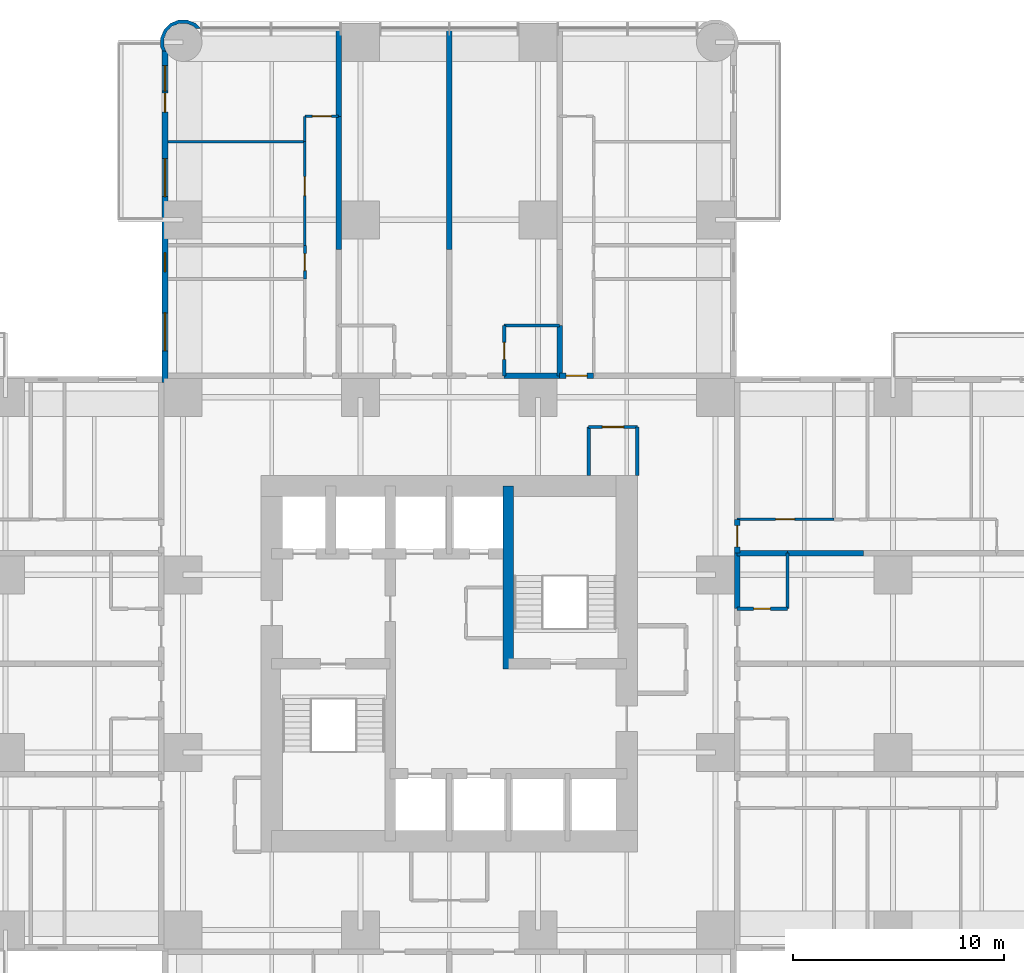
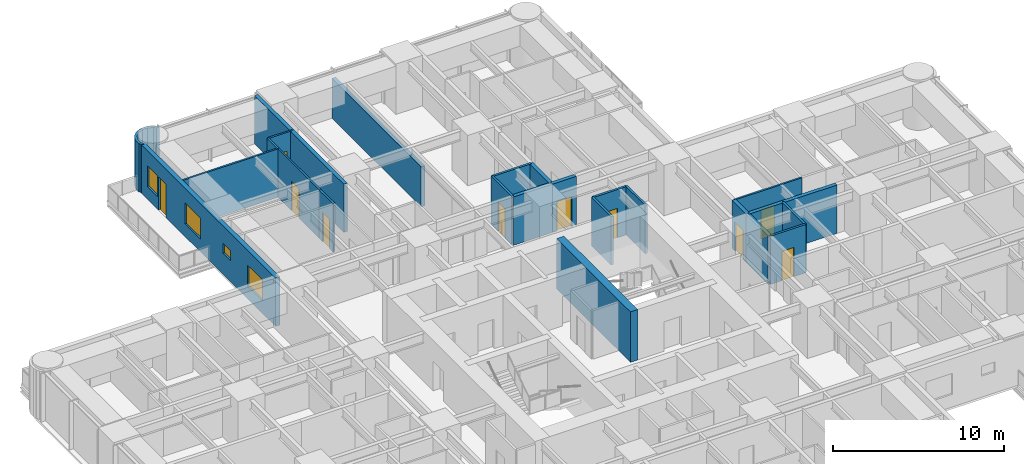
# One storey, part 13 of 17: 26 walls, 10 doors, 4 windows, 14 openings.
"""IFC4 building model written with IfcOpenShell, lengths in metres."""

from ifc_helpers import new_model, si_unit, direction, frame, frame_2d, origin, place, context, subcontext, project, spatial, polyline, rectangle, outline, extrude, material, layer, layer_set, type_object, element, fill, save


model = new_model("IFC4")

# Units and contexts
model_context = context("Model", 3, precision=1e-05, world=origin(), true_north=direction((0.0, 1.0)))
body_context = subcontext(model_context, "Body", "Model", "MODEL_VIEW")
ifc_project = project(units=[si_unit("LENGTHUNIT", "METRE"), si_unit("AREAUNIT", "SQUARE_METRE"), si_unit("VOLUMEUNIT", "CUBIC_METRE"), si_unit("PLANEANGLEUNIT", "RADIAN"), si_unit("MASSUNIT", "GRAM", prefix="KILO")], contexts=[model_context])

# Site, building, storey
site_placement = place(None, origin())
site = spatial("IfcSite", under=ifc_project, at=site_placement, CompositionType="ELEMENT")
building_placement = place(site_placement, origin())
building = spatial("IfcBuilding", under=site, at=building_placement, Name="Torre Alcanfor", CompositionType="ELEMENT")
storey_placement = place(building_placement, frame((0.0, 0.0, 88.5)))
storey = spatial("IfcBuildingStorey", under=building, at=storey_placement, Name="L22", CompositionType="ELEMENT", Elevation=88.5)

# Wall
ifc_material_1 = material(Name="Concrete block masonry, hollow blocks NMX-C-404 9 MPa", Category="masonry")
ifc_layer_1 = layer(ifc_material_1, 0.25)
ifc_layer_set_1 = layer_set([ifc_layer_1], Name="Apartment entrance wall 250 EI 60")
wall_type_1 = type_object("IfcWallType", Name="Apartment entrance wall 250 EI 60", PredefinedType="PARTITIONING", material=ifc_layer_set_1)
wall_1_placement = place(storey_placement, frame((32.0, 43.02490234375, 0.0), z_axis=(0.0, 0.0, 1.0), x_axis=(1.0, 0.0, 0.0)))
element("IfcWall", 1, at=wall_1_placement, inside=storey, type_object=wall_type_1, Name="Partition L22-CORR / L22-N2A-BATH", PredefinedType="PARTITIONING", context=body_context, shape_type="SweptSolid", body=[
    extrude(rectangle(XDim=2.62890625, YDim=0.25, at=frame_2d((1.314453125, 0.0))), origin(), (0.0, 0.0, 1.0), 3.449951171875),
])

# Wall, opening, door
wall_2_placement = place(storey_placement, frame((34.62890625, 43.02490234375, 0.0), z_axis=(0.0, 0.0, 1.0), x_axis=(1.0, 0.0, 0.0)))
wall_2 = element("IfcWall", 2, at=wall_2_placement, inside=storey, type_object=wall_type_1, Name="Partition L22-CORR / L22-N2B-HALL", PredefinedType="PARTITIONING", context=body_context, shape_type="SweptSolid", body=[
    extrude(rectangle(XDim=1.60009765625, YDim=0.25, at=frame_2d((0.800048828125, 0.0))), origin(), (0.0, 0.0, 1.0), 3.449951171875),
])
opening_1_placement = place(wall_2_placement, frame((0.300048828125, 0.0, 0.0)))
opening_1 = element("IfcOpeningElement", 3, at=opening_1_placement, cuts=wall_2, Name="Opening D-A1", PredefinedType="OPENING", context=body_context, shape_type="SweptSolid", body=[
    extrude(rectangle(XDim=1.0, YDim=2.10009765625, at=frame_2d((0.5, 1.050048828125))), frame((0.0, 0.135009765625, 0.0), z_axis=(0.0, -1.0, 0.0), x_axis=(1.0, 0.0, 0.0)), (0.0, 0.0, 1.0), 0.27001953125),
])
ifc_material_2 = material(Name="Galvanised steel sheet ASTM A653", Category="steel")
door_type_1 = type_object("IfcDoorType", Name="Apartment entrance door FD60 1000x2100", OperationType="SINGLE_SWING_LEFT", PredefinedType="DOOR", material=ifc_material_2)
door_1_placement = place(opening_1_placement, origin())
door_1 = element("IfcDoor", 4, at=door_1_placement, inside=storey, type_object=door_type_1, Name="Apartment entrance L22-N2B", OperationType="SINGLE_SWING_LEFT", OverallHeight=2.10009765625, OverallWidth=1.0, PredefinedType="DOOR", context=body_context, shape_type="SweptSolid", body=[
    extrude(rectangle(XDim=1.0, YDim=2.10009765625, at=frame_2d((0.5, 1.050048828125))), frame((0.0, 0.02490234375, 0.0), z_axis=(0.0, -1.0, 0.0), x_axis=(1.0, 0.0, 0.0)), (0.0, 0.0, 1.0), 0.050048828125),
])
fill(opening_1, door_1)

# Wall
wall_3_placement = place(storey_placement, frame((43.02490234375, 34.62890625, 0.0), z_axis=(0.0, 0.0, 1.0), x_axis=(0.0, -1.0, 0.0)))
element("IfcWall", 5, at=wall_3_placement, inside=storey, type_object=wall_type_1, Name="Partition L22-CORR / L22-E1A-BATH", PredefinedType="PARTITIONING", context=body_context, shape_type="SweptSolid", body=[
    extrude(rectangle(XDim=2.62890625, YDim=0.25, at=frame_2d((1.314453125, 0.0))), origin(), (0.0, 0.0, 1.0), 3.449951171875),
])

# Wall, opening, door
wall_4_placement = place(storey_placement, frame((43.02490234375, 36.22900390625, 0.0), z_axis=(0.0, 0.0, 1.0), x_axis=(0.0, -1.0, 0.0)))
wall_4 = element("IfcWall", 6, at=wall_4_placement, inside=storey, type_object=wall_type_1, Name="Partition L22-CORR / L22-E1B-HALL", PredefinedType="PARTITIONING", context=body_context, shape_type="SweptSolid", body=[
    extrude(rectangle(XDim=1.60009765625, YDim=0.25, at=frame_2d((0.800048828125, 0.0))), origin(), (0.0, 0.0, 1.0), 3.449951171875),
])
opening_2_placement = place(wall_4_placement, frame((0.300048828125, 0.0, 0.0)))
opening_2 = element("IfcOpeningElement", 7, at=opening_2_placement, cuts=wall_4, Name="Opening D-A1", PredefinedType="OPENING", context=body_context, shape_type="SweptSolid", body=[
    extrude(rectangle(XDim=1.0, YDim=2.10009765625, at=frame_2d((0.5, 1.050048828125))), frame((0.0, 0.135009765625, 0.0), z_axis=(0.0, -1.0, 0.0), x_axis=(1.0, 0.0, 0.0)), (0.0, 0.0, 1.0), 0.27001953125),
])
door_2_placement = place(opening_2_placement, origin())
door_2 = element("IfcDoor", 8, at=door_2_placement, inside=storey, type_object=door_type_1, Name="Apartment entrance L22-E1B", OperationType="SINGLE_SWING_LEFT", OverallHeight=2.10009765625, OverallWidth=1.0, PredefinedType="DOOR", context=body_context, shape_type="SweptSolid", body=[
    extrude(rectangle(XDim=1.0, YDim=2.10009765625, at=frame_2d((0.5, 1.050048828125))), frame((0.0, 0.02490234375, 0.0), z_axis=(0.0, -1.0, 0.0), x_axis=(1.0, 0.0, 0.0)), (0.0, 0.0, 1.0), 0.050048828125),
])
fill(opening_2, door_2)

ifc_material_3 = material(Name="Gypsum board on steel studs", Category="steel")
ifc_layer_2 = layer(ifc_material_3, 0.1201171875)
ifc_layer_set_2 = layer_set([ifc_layer_2], Name="Apartment partition 120")
wall_type_2 = type_object("IfcWallType", Name="Apartment partition 120", PredefinedType="PARTITIONING", material=ifc_layer_set_2)
wall_5_placement = place(storey_placement, frame((22.571044921875, 54.10009765625, 0.0), z_axis=(0.0, 0.0, 1.0), x_axis=(0.0, -1.0, 0.0)))
wall_5 = element("IfcWall", 9, at=wall_5_placement, inside=storey, type_object=wall_type_2, Name="Partition L22-N1B-HALL / L22-N1B-MASTER", PredefinedType="PARTITIONING", context=body_context, shape_type="SweptSolid", body=[
    extrude(rectangle(XDim=4.900146484375, YDim=0.1201171875, at=frame_2d((2.4501953125, 0.0))), origin(), (0.0, 0.0, 1.0), 3.449951171875),
])
opening_3_placement = place(wall_5_placement, frame((1.64990234375, 0.0, 0.0)))
opening_3 = element("IfcOpeningElement", 10, at=opening_3_placement, cuts=wall_5, Name="Opening D-R1", PredefinedType="OPENING", context=body_context, shape_type="SweptSolid", body=[
    extrude(rectangle(XDim=0.89990234375, YDim=2.10009765625, at=frame_2d((0.449951171875, 1.050048828125))), frame((0.0, 0.070068359375, 0.0), z_axis=(0.0, -1.0, 0.0), x_axis=(1.0, 0.0, 0.0)), (0.0, 0.0, 1.0), 0.14013671875),
])
ifc_material_4 = material(Name="Timber", Category="wood")
door_type_2 = type_object("IfcDoorType", Name="Internal door 900x2100", OperationType="SINGLE_SWING_LEFT", PredefinedType="DOOR", material=ifc_material_4)
door_3_placement = place(opening_3_placement, frame((0.89990234375, 0.0, 0.0), z_axis=(0.0, 0.0, 1.0), x_axis=(-1.0, 0.0, 0.0)))
door_3 = element("IfcDoor", 11, at=door_3_placement, inside=storey, type_object=door_type_2, Name="Door L22-N1B master", OperationType="SINGLE_SWING_RIGHT", OverallHeight=2.10009765625, OverallWidth=0.89990234375, PredefinedType="DOOR", context=body_context, shape_type="SweptSolid", body=[
    extrude(rectangle(XDim=0.89990234375, YDim=2.10009765625, at=frame_2d((0.449951171875, 1.050048828125))), frame((0.0, 0.025146484375, 0.0), z_axis=(0.0, -1.0, 0.0), x_axis=(1.0, 0.0, 0.0)), (0.0, 0.0, 1.0), 0.050048828125),
])
fill(opening_3, door_3)

# Wall
wall_6_placement = place(storey_placement, frame((22.571044921875, 55.300048828125, 0.0), z_axis=(0.0, 0.0, 1.0), x_axis=(0.0, -1.0, 0.0)))
element("IfcWall", 12, at=wall_6_placement, inside=storey, type_object=wall_type_2, Name="Partition L22-N1B-HALL / L22-N1B-KITCHEN", PredefinedType="PARTITIONING", context=body_context, shape_type="SweptSolid", body=[
    extrude(rectangle(XDim=1.199951171875, YDim=0.1201171875, at=frame_2d((0.60009765625, 0.0))), origin(), (0.0, 0.0, 1.0), 3.449951171875),
])

# Wall, opening, door
wall_7_placement = place(storey_placement, frame((24.1708984375, 55.300048828125, 0.0), z_axis=(0.0, 0.0, 1.0), x_axis=(-1.0, 0.0, 0.0)))
wall_7 = element("IfcWall", 13, at=wall_7_placement, inside=storey, type_object=wall_type_2, Name="Partition L22-N1B-HALL / L22-N1B-LIVING", PredefinedType="PARTITIONING", context=body_context, shape_type="SweptSolid", body=[
    extrude(rectangle(XDim=1.599853515625, YDim=0.1201171875, at=frame_2d((0.7998046875, 0.0))), origin(), (0.0, 0.0, 1.0), 3.449951171875),
])
opening_4_placement = place(wall_7_placement, frame((0.35009765625, 0.0, 0.0)))
opening_4 = element("IfcOpeningElement", 14, at=opening_4_placement, cuts=wall_7, Name="Opening D-R1", PredefinedType="OPENING", context=body_context, shape_type="SweptSolid", body=[
    extrude(rectangle(XDim=0.89990234375, YDim=2.10009765625, at=frame_2d((0.449951171875, 1.050048828125))), frame((0.0, 0.070068359375, 0.0), z_axis=(0.0, -1.0, 0.0), x_axis=(1.0, 0.0, 0.0)), (0.0, 0.0, 1.0), 0.14013671875),
])
door_4_placement = place(opening_4_placement, frame((0.89990234375, 0.0, 0.0), z_axis=(0.0, 0.0, 1.0), x_axis=(-1.0, 0.0, 0.0)))
door_4 = element("IfcDoor", 15, at=door_4_placement, inside=storey, type_object=door_type_2, Name="Door L22-N1B living", OperationType="SINGLE_SWING_RIGHT", OverallHeight=2.10009765625, OverallWidth=0.89990234375, PredefinedType="DOOR", context=body_context, shape_type="SweptSolid", body=[
    extrude(rectangle(XDim=0.89990234375, YDim=2.10009765625, at=frame_2d((0.449951171875, 1.050048828125))), frame((0.0, 0.025146484375, 0.0), z_axis=(0.0, -1.0, 0.0), x_axis=(1.0, 0.0, 0.0)), (0.0, 0.0, 1.0), 0.050048828125),
])
fill(opening_4, door_4)

# Wall
wall_8_placement = place(storey_placement, frame((22.571044921875, 54.10009765625, 0.0), z_axis=(0.0, 0.0, 1.0), x_axis=(-1.0, 0.0, 0.0)))
element("IfcWall", 16, at=wall_8_placement, inside=storey, type_object=wall_type_2, Name="Partition L22-N1B-MASTER / L22-N1B-KITCHEN", PredefinedType="PARTITIONING", context=body_context, shape_type="SweptSolid", body=[
    extrude(rectangle(XDim=6.470947265625, YDim=0.1201171875, at=frame_2d((3.2353515625, 0.0))), origin(), (0.0, 0.0, 1.0), 3.449951171875),
])

# Wall, opening, door
wall_9_placement = place(storey_placement, frame((47.60009765625, 36.22900390625, 0.0), z_axis=(0.0, 0.0, 1.0), x_axis=(-1.0, 0.0, 0.0)))
wall_9 = element("IfcWall", 17, at=wall_9_placement, inside=storey, type_object=wall_type_2, Name="Partition L22-E1B-HALL / L22-E1B-BED2", PredefinedType="PARTITIONING", context=body_context, shape_type="SweptSolid", body=[
    extrude(rectangle(XDim=4.5751953125, YDim=0.1201171875, at=frame_2d((2.28759765625, 0.0))), origin(), (0.0, 0.0, 1.0), 3.449951171875),
])
opening_5_placement = place(wall_9_placement, frame((1.85009765625, 0.0, 0.0)))
opening_5 = element("IfcOpeningElement", 18, at=opening_5_placement, cuts=wall_9, Name="Opening D-R1", PredefinedType="OPENING", context=body_context, shape_type="SweptSolid", body=[
    extrude(rectangle(XDim=0.89990234375, YDim=2.10009765625, at=frame_2d((0.449951171875, 1.050048828125))), frame((0.0, 0.070068359375, 0.0), z_axis=(0.0, -1.0, 0.0), x_axis=(1.0, 0.0, 0.0)), (0.0, 0.0, 1.0), 0.14013671875),
])
door_5_placement = place(opening_5_placement, frame((0.89990234375, 0.0, 0.0), z_axis=(0.0, 0.0, 1.0), x_axis=(-1.0, 0.0, 0.0)))
door_5 = element("IfcDoor", 19, at=door_5_placement, inside=storey, type_object=door_type_2, Name="Door L22-E1B bed2", OperationType="SINGLE_SWING_LEFT", OverallHeight=2.10009765625, OverallWidth=0.89990234375, PredefinedType="DOOR", context=body_context, shape_type="SweptSolid", body=[
    extrude(rectangle(XDim=0.89990234375, YDim=2.10009765625, at=frame_2d((0.449951171875, 1.050048828125))), frame((0.0, 0.025146484375, 0.0), z_axis=(0.0, -1.0, 0.0), x_axis=(1.0, 0.0, 0.0)), (0.0, 0.0, 1.0), 0.050048828125),
])
fill(opening_5, door_5)

# Wall
ifc_material_5 = material(Name="Concrete f'c 70 MPa", Category="concrete")
ifc_layer_3 = layer(ifc_material_5, 0.5)
ifc_layer_set_3 = layer_set([ifc_layer_3], Name="Core inner wall 500 f'c70")
wall_type_3 = type_object("IfcWallType", Name="Core inner wall 500 f'c70", PredefinedType="SHEAR", material=ifc_layer_set_3)
wall_10_placement = place(storey_placement, frame((32.199951171875, 29.14990234375, 0.0), z_axis=(0.0, 0.0, 1.0), x_axis=(0.0, 1.0, 0.0)))
element("IfcWall", 20, at=wall_10_placement, inside=storey, type_object=wall_type_3, Name="Core wall X322N L22", PredefinedType="SHEAR", context=body_context, shape_type="SweptSolid", body=[
    extrude(rectangle(XDim=8.650146484375, YDim=0.5, at=frame_2d((4.3251953125, 0.0))), origin(), (0.0, 0.0, 1.0), 3.60009765625),
])

# Wall, openings, door, windows
ifc_material_6 = material(Name="Limestone cladding", Category="masonry")
ifc_layer_4 = layer(ifc_material_6, 0.0400390625, Name="Facing")
ifc_material_7 = material(Name="Ventilated air cavity")
ifc_layer_5 = layer(ifc_material_7, 0.02001953125, ventilated=True, Name="Ventilated joint")
ifc_material_8 = material(Name="Mineral wool insulation", Category="insulation")
ifc_layer_6 = layer(ifc_material_8, 0.10009765625, Name="Insulation")
ifc_material_9 = material(Name="Concrete f'c 35 MPa", Category="concrete")
ifc_layer_7 = layer(ifc_material_9, 0.139892578125, Name="Backing")
ifc_layer_set_4 = layer_set([ifc_layer_4, ifc_layer_5, ifc_layer_6, ifc_layer_7], Name="External wall stone-clad 300")
wall_type_4 = type_object("IfcWallType", Name="External wall stone-clad 300", PredefinedType="SOLIDWALL", material=ifc_layer_set_4)
wall_11_placement = place(storey_placement, frame((15.949951171875, 58.39990234375, 0.0), z_axis=(0.0, 0.0, 1.0), x_axis=(0.0, -1.0, 0.0)))
wall_11 = element("IfcWall", 21, at=wall_11_placement, inside=storey, type_object=wall_type_4, Name="External wall L22 12", PredefinedType="SOLIDWALL", context=body_context, shape_type="SweptSolid", body=[
    extrude(rectangle(XDim=15.699951171875, YDim=0.300048828125, at=frame_2d((7.85009765625, 0.0))), origin(), (0.0, 0.0, 1.0), 3.449951171875),
])
opening_6_placement = place(wall_11_placement, frame((12.39990234375, 0.0, 0.89990234375)))
opening_6 = element("IfcOpeningElement", 22, at=opening_6_placement, cuts=wall_11, Name="Opening W2", PredefinedType="OPENING", context=body_context, shape_type="SweptSolid", body=[
    extrude(rectangle(XDim=1.800048828125, YDim=1.5, at=frame_2d((0.89990234375, 0.75))), frame((0.0, 0.159912109375, 0.0), z_axis=(0.0, -1.0, 0.0), x_axis=(1.0, 0.0, 0.0)), (0.0, 0.0, 1.0), 0.320068359375),
])
opening_7_placement = place(wall_11_placement, frame((9.550048828125, 0.0, 1.5)))
opening_7 = element("IfcOpeningElement", 23, at=opening_7_placement, cuts=wall_11, Name="Opening W3", PredefinedType="OPENING", context=body_context, shape_type="SweptSolid", body=[
    extrude(rectangle(XDim=0.89990234375, YDim=0.699951171875, at=frame_2d((0.449951171875, 0.35009765625))), frame((0.0, 0.159912109375, 0.0), z_axis=(0.0, -1.0, 0.0), x_axis=(1.0, 0.0, 0.0)), (0.0, 0.0, 1.0), 0.320068359375),
])
opening_8_placement = place(wall_11_placement, frame((5.10009765625, 0.0, 0.89990234375)))
opening_8 = element("IfcOpeningElement", 24, at=opening_8_placement, cuts=wall_11, Name="Opening W2", PredefinedType="OPENING", context=body_context, shape_type="SweptSolid", body=[
    extrude(rectangle(XDim=1.800048828125, YDim=1.5, at=frame_2d((0.89990234375, 0.75))), frame((0.0, 0.159912109375, 0.0), z_axis=(0.0, -1.0, 0.0), x_axis=(1.0, 0.0, 0.0)), (0.0, 0.0, 1.0), 0.320068359375),
])
opening_9_placement = place(wall_11_placement, frame((2.0, 0.0, 0.0)))
opening_9 = element("IfcOpeningElement", 25, at=opening_9_placement, cuts=wall_11, Name="Opening D-B1", PredefinedType="OPENING", context=body_context, shape_type="SweptSolid", body=[
    extrude(rectangle(XDim=0.89990234375, YDim=2.39990234375, at=frame_2d((0.449951171875, 1.199951171875))), frame((0.0, 0.159912109375, 0.0), z_axis=(0.0, -1.0, 0.0), x_axis=(1.0, 0.0, 0.0)), (0.0, 0.0, 1.0), 0.320068359375),
])
opening_10_placement = place(wall_11_placement, frame((0.699951171875, 0.0, 0.89990234375)))
opening_10 = element("IfcOpeningElement", 26, at=opening_10_placement, cuts=wall_11, Name="Opening W4", PredefinedType="OPENING", context=body_context, shape_type="SweptSolid", body=[
    extrude(rectangle(XDim=1.199951171875, YDim=1.5, at=frame_2d((0.60009765625, 0.75))), frame((0.0, 0.159912109375, 0.0), z_axis=(0.0, -1.0, 0.0), x_axis=(1.0, 0.0, 0.0)), (0.0, 0.0, 1.0), 0.320068359375),
])
ifc_material_10 = material(Name="Aluminium and glass", Category="aluminium")
door_type_3 = type_object("IfcDoorType", Name="Balcony door glazed 900x2400", OperationType="SINGLE_SWING_LEFT", PredefinedType="DOOR", material=ifc_material_10)
door_6_placement = place(opening_9_placement, origin())
door_6 = element("IfcDoor", 27, at=door_6_placement, inside=storey, type_object=door_type_3, Name="Balcony door L22-N1", OperationType="SINGLE_SWING_RIGHT", OverallHeight=2.39990234375, OverallWidth=0.89990234375, PredefinedType="DOOR", context=body_context, shape_type="SweptSolid", body=[
    extrude(rectangle(XDim=0.89990234375, YDim=2.39990234375, at=frame_2d((0.449951171875, 1.199951171875))), frame((0.0, 0.02490234375, 0.0), z_axis=(0.0, -1.0, 0.0), x_axis=(1.0, 0.0, 0.0)), (0.0, 0.0, 1.0), 0.050048828125),
])
fill(opening_9, door_6)
ifc_material_11 = material(Name="Aluminium frame with clear double glazing", Category="aluminium")
window_type_1 = type_object("IfcWindowType", Name="Window bathroom 900x700", PartitioningType="SINGLE_PANEL", PredefinedType="WINDOW", material=ifc_material_11)
window_1_placement = place(opening_7_placement, origin())
window_1 = element("IfcWindow", 28, at=window_1_placement, inside=storey, type_object=window_type_1, Name="Window W3 L22-N1", OverallHeight=0.699951171875, OverallWidth=0.89990234375, PartitioningType="SINGLE_PANEL", PredefinedType="WINDOW", context=body_context, shape_type="SweptSolid", body=[
    extrude(rectangle(XDim=0.89990234375, YDim=0.699951171875, at=frame_2d((0.449951171875, 0.35009765625))), frame((0.0, 0.030029296875, 0.0), z_axis=(0.0, -1.0, 0.0), x_axis=(1.0, 0.0, 0.0)), (0.0, 0.0, 1.0), 0.06005859375),
])
fill(opening_7, window_1)
ifc_material_12 = material(Name="Aluminium frame with clear double glazing", Category="aluminium")
window_type_2 = type_object("IfcWindowType", Name="Window bedroom 1200x1500", PartitioningType="SINGLE_PANEL", PredefinedType="WINDOW", material=ifc_material_12)
window_2_placement = place(opening_10_placement, origin())
window_2 = element("IfcWindow", 29, at=window_2_placement, inside=storey, type_object=window_type_2, Name="Window W4 L22-N1", OverallHeight=1.5, OverallWidth=1.199951171875, PartitioningType="SINGLE_PANEL", PredefinedType="WINDOW", context=body_context, shape_type="SweptSolid", body=[
    extrude(rectangle(XDim=1.199951171875, YDim=1.5, at=frame_2d((0.60009765625, 0.75))), frame((0.0, 0.030029296875, 0.0), z_axis=(0.0, -1.0, 0.0), x_axis=(1.0, 0.0, 0.0)), (0.0, 0.0, 1.0), 0.06005859375),
])
fill(opening_10, window_2)
ifc_material_13 = material(Name="Aluminium frame with clear double glazing", Category="aluminium")
window_type_3 = type_object("IfcWindowType", Name="Window bedroom 1800x1500", PartitioningType="SINGLE_PANEL", PredefinedType="WINDOW", material=ifc_material_13)
window_3_placement = place(opening_6_placement, origin())
window_3 = element("IfcWindow", 30, at=window_3_placement, inside=storey, type_object=window_type_3, Name="Window W2 L22-N1", OverallHeight=1.5, OverallWidth=1.800048828125, PartitioningType="SINGLE_PANEL", PredefinedType="WINDOW", context=body_context, shape_type="SweptSolid", body=[
    extrude(rectangle(XDim=1.800048828125, YDim=1.5, at=frame_2d((0.89990234375, 0.75))), frame((0.0, 0.030029296875, 0.0), z_axis=(0.0, -1.0, 0.0), x_axis=(1.0, 0.0, 0.0)), (0.0, 0.0, 1.0), 0.06005859375),
])
fill(opening_6, window_3)
window_4_placement = place(opening_8_placement, origin())
window_4 = element("IfcWindow", 31, at=window_4_placement, inside=storey, type_object=window_type_3, Name="Window W2 L22-N1", OverallHeight=1.5, OverallWidth=1.800048828125, PartitioningType="SINGLE_PANEL", PredefinedType="WINDOW", context=body_context, shape_type="SweptSolid", body=[
    extrude(rectangle(XDim=1.800048828125, YDim=1.5, at=frame_2d((0.89990234375, 0.75))), frame((0.0, 0.030029296875, 0.0), z_axis=(0.0, -1.0, 0.0), x_axis=(1.0, 0.0, 0.0)), (0.0, 0.0, 1.0), 0.06005859375),
])
fill(opening_8, window_4)

# Walls
ifc_material_14 = material(Name="Concrete block masonry, hollow blocks NMX-C-404 9 MPa", Category="masonry")
ifc_layer_8 = layer(ifc_material_14, 0.25)
ifc_layer_set_5 = layer_set([ifc_layer_8], Name="Party wall 250 EI 60")
wall_type_5 = type_object("IfcWallType", Name="Party wall 250 EI 60", PredefinedType="PARTITIONING", material=ifc_layer_set_5)
wall_12_placement = place(storey_placement, frame((24.1708984375, 55.300048828125, 0.0), z_axis=(0.0, 0.0, 1.0), x_axis=(0.0, -1.0, 0.0)))
element("IfcWall", 32, at=wall_12_placement, inside=storey, type_object=wall_type_5, Name="Partition L22-N1A-STUDIO / L22-N1B-HALL", PredefinedType="PARTITIONING", context=body_context, shape_type="SweptSolid", body=[
    extrude(rectangle(XDim=6.300048828125, YDim=0.25, at=frame_2d((3.14990234375, 0.0))), origin(), (0.0, 0.0, 1.0), 3.449951171875),
])
wall_13_placement = place(storey_placement, frame((24.1708984375, 59.449951171875, 0.0), z_axis=(0.0, 0.0, 1.0), x_axis=(0.0, -1.0, 0.0)))
element("IfcWall", 33, at=wall_13_placement, inside=storey, type_object=wall_type_5, Name="Partition L22-N1A-STUDIO / L22-N1B-LIVING", PredefinedType="PARTITIONING", context=body_context, shape_type="SweptSolid", body=[
    extrude(rectangle(XDim=4.14990234375, YDim=0.25, at=frame_2d((2.074951171875, 0.0))), origin(), (0.0, 0.0, 1.0), 3.449951171875),
])
wall_14_placement = place(storey_placement, frame((29.39990234375, 49.0, 0.0), z_axis=(0.0, 0.0, 1.0), x_axis=(0.0, 1.0, 0.0)))
element("IfcWall", 34, at=wall_14_placement, inside=storey, type_object=wall_type_5, Name="Partition L22-N1A-STUDIO / L22-N2A-STUDIO", PredefinedType="PARTITIONING", context=body_context, shape_type="SweptSolid", body=[
    extrude(rectangle(XDim=10.449951171875, YDim=0.25, at=frame_2d((5.22509765625, 0.0))), origin(), (0.0, 0.0, 1.0), 2.847900390625),
])
for number, where, z_axis, x_axis, name in (
    (35, (34.62890625, 45.39990234375, 0.0), (0.0, 0.0, 1.0), (0.0, -1.0, 0.0), "Partition L22-N2A-BATH / L22-N2B-HALL"),
    (36, (45.39990234375, 34.62890625, 0.0), (0.0, 0.0, 1.0), (-1.0, 0.0, 0.0), "Partition L22-E1A-BATH / L22-E1B-HALL"),
):
    element("IfcWall", number, at=place(storey_placement, frame(where, z_axis=z_axis, x_axis=x_axis)), inside=storey, type_object=wall_type_5, Name=name, PredefinedType="PARTITIONING", context=body_context, shape_type="SweptSolid", body=[
        extrude(rectangle(XDim=2.375, YDim=0.25, at=frame_2d((1.1875, 0.0))), origin(), (0.0, 0.0, 1.0), 3.449951171875),
    ])
wall_15_placement = place(storey_placement, frame((49.0, 34.62890625, 0.0), z_axis=(0.0, 0.0, 1.0), x_axis=(-1.0, 0.0, 0.0)))
element("IfcWall", 37, at=wall_15_placement, inside=storey, type_object=wall_type_5, Name="Partition L22-E1A-KITCHEN / L22-E1B-HALL", PredefinedType="PARTITIONING", context=body_context, shape_type="SweptSolid", body=[
    extrude(rectangle(XDim=3.60009765625, YDim=0.25, at=frame_2d((1.800048828125, 0.0))), origin(), (0.0, 0.0, 1.0), 3.449951171875),
])
ifc_material_15 = material(Name="Concrete block masonry, hollow blocks NMX-C-404 9 MPa", Category="masonry")
ifc_layer_9 = layer(ifc_material_15, 0.14990234375)
ifc_layer_set_6 = layer_set([ifc_layer_9], Name="Residents' room partition 150")
wall_type_6 = type_object("IfcWallType", Name="Residents' room partition 150", PredefinedType="PARTITIONING", material=ifc_layer_set_6)
wall_16_placement = place(storey_placement, frame((38.300048828125, 38.300048828125, 0.0), z_axis=(0.0, 0.0, 1.0), x_axis=(0.0, 1.0, 0.0)))
element("IfcWall", 38, at=wall_16_placement, inside=storey, type_object=wall_type_6, Name="Partition L22-CORR / L22-G01", PredefinedType="PARTITIONING", context=body_context, shape_type="SweptSolid", body=[
    extrude(rectangle(XDim=2.300048828125, YDim=0.14990234375, at=frame_2d((1.14990234375, 0.0))), origin(), (0.0, 0.0, 1.0), 3.449951171875),
])

# Wall, opening, door
wall_17_placement = place(storey_placement, frame((38.300048828125, 40.60009765625, 0.0), z_axis=(0.0, 0.0, 1.0), x_axis=(-1.0, 0.0, 0.0)))
wall_17 = element("IfcWall", 39, at=wall_17_placement, inside=storey, type_object=wall_type_6, Name="Partition L22-CORR / L22-G01", PredefinedType="PARTITIONING", context=body_context, shape_type="SweptSolid", body=[
    extrude(rectangle(XDim=2.300048828125, YDim=0.14990234375, at=frame_2d((1.14990234375, 0.0))), origin(), (0.0, 0.0, 1.0), 3.449951171875),
])
opening_11_placement = place(wall_17_placement, frame((0.64990234375, 0.0, 0.0)))
opening_11 = element("IfcOpeningElement", 40, at=opening_11_placement, cuts=wall_17, Name="Opening D-M1", PredefinedType="OPENING", context=body_context, shape_type="SweptSolid", body=[
    extrude(rectangle(XDim=1.0, YDim=2.10009765625, at=frame_2d((0.5, 1.050048828125))), frame((0.0, 0.0849609375, 0.0), z_axis=(0.0, -1.0, 0.0), x_axis=(1.0, 0.0, 0.0)), (0.0, 0.0, 1.0), 0.169921875),
])
ifc_material_16 = material(Name="Timber", Category="wood")
door_type_4 = type_object("IfcDoorType", Name="Residents' room door 1000x2100", OperationType="SINGLE_SWING_LEFT", PredefinedType="DOOR", material=ifc_material_16)
door_7_placement = place(opening_11_placement, origin())
door_7 = element("IfcDoor", 41, at=door_7_placement, inside=storey, type_object=door_type_4, Name="Door L22-G01 residents' storage lockers", OperationType="SINGLE_SWING_LEFT", OverallHeight=2.10009765625, OverallWidth=1.0, PredefinedType="DOOR", context=body_context, shape_type="SweptSolid", body=[
    extrude(rectangle(XDim=1.0, YDim=2.10009765625, at=frame_2d((0.5, 1.050048828125))), frame((0.0, 0.02490234375, 0.0), z_axis=(0.0, -1.0, 0.0), x_axis=(1.0, 0.0, 0.0)), (0.0, 0.0, 1.0), 0.050048828125),
])
fill(opening_11, door_7)

# Walls
wall_18_placement = place(storey_placement, frame((36.0, 40.60009765625, 0.0), z_axis=(0.0, 0.0, 1.0), x_axis=(0.0, -1.0, 0.0)))
element("IfcWall", 42, at=wall_18_placement, inside=storey, type_object=wall_type_6, Name="Partition L22-CORR / L22-G01", PredefinedType="PARTITIONING", context=body_context, shape_type="SweptSolid", body=[
    extrude(rectangle(XDim=2.300048828125, YDim=0.14990234375, at=frame_2d((1.14990234375, 0.0))), origin(), (0.0, 0.0, 1.0), 3.449951171875),
])
ifc_layer_10 = layer(ifc_material_6, 0.0400390625, Name="Facing")
ifc_layer_11 = layer(ifc_material_7, 0.02001953125, ventilated=True, Name="Ventilated joint")
ifc_layer_12 = layer(ifc_material_8, 0.10009765625, Name="Insulation")
ifc_layer_13 = layer(ifc_material_9, 0.139892578125, Name="Backing")
ifc_layer_set_7 = layer_set([ifc_layer_10, ifc_layer_11, ifc_layer_12, ifc_layer_13], Name="Rounded corner pier stone-clad 300")
wall_type_7 = type_object("IfcWallType", Name="Rounded corner pier stone-clad 300", PredefinedType="SOLIDWALL", material=ifc_layer_set_7)
wall_19_placement = place(storey_placement, frame((17.56659392, 59.410519256, 0.0), z_axis=(0.0, 0.0, 1.0), x_axis=(-0.377204953059, 0.926129809145, 0.0)))
element("IfcWall", 43, at=wall_19_placement, inside=storey, type_object=wall_type_7, Name="Corner pier L22 20", PredefinedType="SOLIDWALL", context=body_context, shape_type="SweptSolid", body=[
    extrude(outline(polyline([(-0.2696128896034876, 2.017259773730947), (-0.3700074466497617, 1.8406682313445892), (-0.10228391712117135, 1.84234447704578), (0.22963955939869596, 1.7071548112521016), (0.48448400216769655, 1.4552078217286728), (0.623591424193435, 1.1249193736895309), (0.6256953869469392, 0.7663384814459974), (0.4905057211532608, 0.43441500492612994), (0.23855873162983204, 0.17957056215712927), (0.0901868556189969, 0.11689353267829827), (0.010896458992050665, -0.07778365620699182), (0.024462813618203284, -0.08330911938656994), (0.3293875956360306, 0.04530321995417183), (0.4799529344667901, 0.19750641360159463), (0.4990544088845829, 0.19262629437695172), (0.507600976756774, 0.22526044306054033), (0.6260470289213595, 0.34520397592848606), (0.7850882774402169, 0.7356888832512456), (0.7822913942554518, 1.1572920874778148), (0.618751344370654, 1.5460366857348715), (0.3187584973433468, 1.8424700131097647), (-0.07172640997941271, 2.0015112616286217), (-0.24006791291721008, 2.0004813020300714), (-0.2696128896034876, 2.017259773730947)])), origin(), (0.0, 0.0, 1.0), 3.449951171875),
])

# Wall, opening, door
ifc_material_17 = material(Name="Cement board on steel studs", Category="steel")
ifc_layer_14 = layer(ifc_material_17, 0.14990234375)
ifc_layer_set_8 = layer_set([ifc_layer_14], Name="Wet area partition 150")
wall_type_8 = type_object("IfcWallType", Name="Wet area partition 150", PredefinedType="PARTITIONING", material=ifc_layer_set_8)
wall_20_placement = place(storey_placement, frame((22.571044921875, 49.199951171875, 0.0), z_axis=(0.0, 0.0, 1.0), x_axis=(0.0, -1.0, 0.0)))
wall_20 = element("IfcWall", 44, at=wall_20_placement, inside=storey, type_object=wall_type_8, Name="Partition L22-N1B-HALL / L22-N1B-BATH", PredefinedType="PARTITIONING", context=body_context, shape_type="SweptSolid", body=[
    extrude(rectangle(XDim=1.599853515625, YDim=0.14990234375, at=frame_2d((0.7998046875, 0.0))), origin(), (0.0, 0.0, 1.0), 3.449951171875),
])
opening_12_placement = place(wall_20_placement, frame((0.39990234375, 0.0, 0.0)))
opening_12 = element("IfcOpeningElement", 45, at=opening_12_placement, cuts=wall_20, Name="Opening D-R2", PredefinedType="OPENING", context=body_context, shape_type="SweptSolid", body=[
    extrude(rectangle(XDim=0.800048828125, YDim=2.10009765625, at=frame_2d((0.39990234375, 1.050048828125))), frame((0.0, 0.0849609375, 0.0), z_axis=(0.0, -1.0, 0.0), x_axis=(1.0, 0.0, 0.0)), (0.0, 0.0, 1.0), 0.169921875),
])
ifc_material_18 = material(Name="Timber", Category="wood")
door_type_5 = type_object("IfcDoorType", Name="Bathroom door 800x2100", OperationType="SINGLE_SWING_LEFT", PredefinedType="DOOR", material=ifc_material_18)
door_8_placement = place(opening_12_placement, frame((0.800048828125, 0.0, 0.0), z_axis=(0.0, 0.0, 1.0), x_axis=(-1.0, 0.0, 0.0)))
door_8 = element("IfcDoor", 46, at=door_8_placement, inside=storey, type_object=door_type_5, Name="Door L22-N1B bath", OperationType="SINGLE_SWING_RIGHT", OverallHeight=2.10009765625, OverallWidth=0.800048828125, PredefinedType="DOOR", context=body_context, shape_type="SweptSolid", body=[
    extrude(rectangle(XDim=0.800048828125, YDim=2.10009765625, at=frame_2d((0.400146484375, 1.050048828125))), frame((0.0, 0.025146484375, 0.0), z_axis=(0.0, -1.0, 0.0), x_axis=(1.0, 0.0, 0.0)), (0.0, 0.0, 1.0), 0.050048828125),
])
fill(opening_12, door_8)

wall_21_placement = place(storey_placement, frame((32.0, 45.39990234375, 0.0), z_axis=(0.0, 0.0, 1.0), x_axis=(0.0, -1.0, 0.0)))
wall_21 = element("IfcWall", 47, at=wall_21_placement, inside=storey, type_object=wall_type_8, Name="Partition L22-N2A-FOYER / L22-N2A-BATH", PredefinedType="PARTITIONING", context=body_context, shape_type="SweptSolid", body=[
    extrude(rectangle(XDim=2.375, YDim=0.14990234375, at=frame_2d((1.1875, 0.0))), origin(), (0.0, 0.0, 1.0), 3.449951171875),
])
opening_13_placement = place(wall_21_placement, frame((0.800048828125, 0.0, 0.0)))
opening_13 = element("IfcOpeningElement", 48, at=opening_13_placement, cuts=wall_21, Name="Opening D-R2", PredefinedType="OPENING", context=body_context, shape_type="SweptSolid", body=[
    extrude(rectangle(XDim=0.800048828125, YDim=2.10009765625, at=frame_2d((0.39990234375, 1.050048828125))), frame((0.0, 0.0849609375, 0.0), z_axis=(0.0, -1.0, 0.0), x_axis=(1.0, 0.0, 0.0)), (0.0, 0.0, 1.0), 0.169921875),
])
door_9_placement = place(opening_13_placement, origin())
door_9 = element("IfcDoor", 49, at=door_9_placement, inside=storey, type_object=door_type_5, Name="Door L22-N2A bath", OperationType="SINGLE_SWING_RIGHT", OverallHeight=2.10009765625, OverallWidth=0.800048828125, PredefinedType="DOOR", context=body_context, shape_type="SweptSolid", body=[
    extrude(rectangle(XDim=0.800048828125, YDim=2.10009765625, at=frame_2d((0.39990234375, 1.050048828125))), frame((0.0, 0.02490234375, 0.0), z_axis=(0.0, -1.0, 0.0), x_axis=(1.0, 0.0, 0.0)), (0.0, 0.0, 1.0), 0.050048828125),
])
fill(opening_13, door_9)

# Wall
wall_22_placement = place(storey_placement, frame((32.0, 45.39990234375, 0.0), z_axis=(0.0, 0.0, 1.0), x_axis=(1.0, 0.0, 0.0)))
element("IfcWall", 50, at=wall_22_placement, inside=storey, type_object=wall_type_8, Name="Partition L22-N2A-BATH / L22-N2A-KITCHEN", PredefinedType="PARTITIONING", context=body_context, shape_type="SweptSolid", body=[
    extrude(rectangle(XDim=2.62890625, YDim=0.14990234375, at=frame_2d((1.314453125, 0.0))), origin(), (0.0, 0.0, 1.0), 3.449951171875),
])

# Wall, opening, door
wall_23_placement = place(storey_placement, frame((45.39990234375, 32.0, 0.0), z_axis=(0.0, 0.0, 1.0), x_axis=(-1.0, 0.0, 0.0)))
wall_23 = element("IfcWall", 51, at=wall_23_placement, inside=storey, type_object=wall_type_8, Name="Partition L22-E1A-FOYER / L22-E1A-BATH", PredefinedType="PARTITIONING", context=body_context, shape_type="SweptSolid", body=[
    extrude(rectangle(XDim=2.375, YDim=0.14990234375, at=frame_2d((1.1875, 0.0))), origin(), (0.0, 0.0, 1.0), 3.449951171875),
])
opening_14_placement = place(wall_23_placement, frame((0.800048828125, 0.0, 0.0)))
opening_14 = element("IfcOpeningElement", 52, at=opening_14_placement, cuts=wall_23, Name="Opening D-R2", PredefinedType="OPENING", context=body_context, shape_type="SweptSolid", body=[
    extrude(rectangle(XDim=0.800048828125, YDim=2.10009765625, at=frame_2d((0.39990234375, 1.050048828125))), frame((0.0, 0.0849609375, 0.0), z_axis=(0.0, -1.0, 0.0), x_axis=(1.0, 0.0, 0.0)), (0.0, 0.0, 1.0), 0.169921875),
])
door_10_placement = place(opening_14_placement, frame((0.800048828125, 0.0, 0.0), z_axis=(0.0, 0.0, 1.0), x_axis=(-1.0, 0.0, 0.0)))
door_10 = element("IfcDoor", 53, at=door_10_placement, inside=storey, type_object=door_type_5, Name="Door L22-E1A bath", OperationType="SINGLE_SWING_LEFT", OverallHeight=2.10009765625, OverallWidth=0.800048828125, PredefinedType="DOOR", context=body_context, shape_type="SweptSolid", body=[
    extrude(rectangle(XDim=0.800048828125, YDim=2.10009765625, at=frame_2d((0.400146484375, 1.050048828125))), frame((0.0, 0.025146484375, 0.0), z_axis=(0.0, -1.0, 0.0), x_axis=(1.0, 0.0, 0.0)), (0.0, 0.0, 1.0), 0.050048828125),
])
fill(opening_14, door_10)

# Wall
wall_24_placement = place(storey_placement, frame((45.39990234375, 32.0, 0.0), z_axis=(0.0, 0.0, 1.0), x_axis=(0.0, 1.0, 0.0)))
element("IfcWall", 54, at=wall_24_placement, inside=storey, type_object=wall_type_8, Name="Partition L22-E1A-BATH / L22-E1A-KITCHEN", PredefinedType="PARTITIONING", context=body_context, shape_type="SweptSolid", body=[
    extrude(rectangle(XDim=2.62890625, YDim=0.14990234375, at=frame_2d((1.314453125, 0.0))), origin(), (0.0, 0.0, 1.0), 3.449951171875),
])

save(model, "model.ifc")
